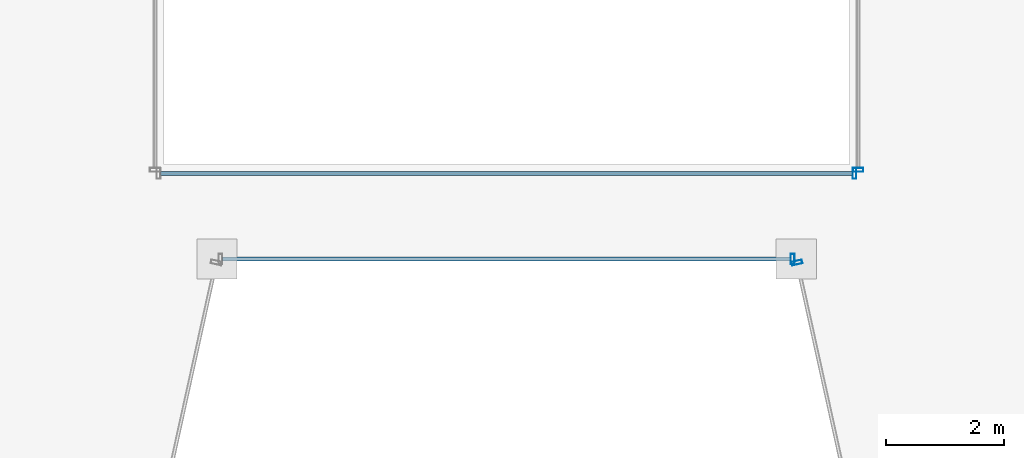
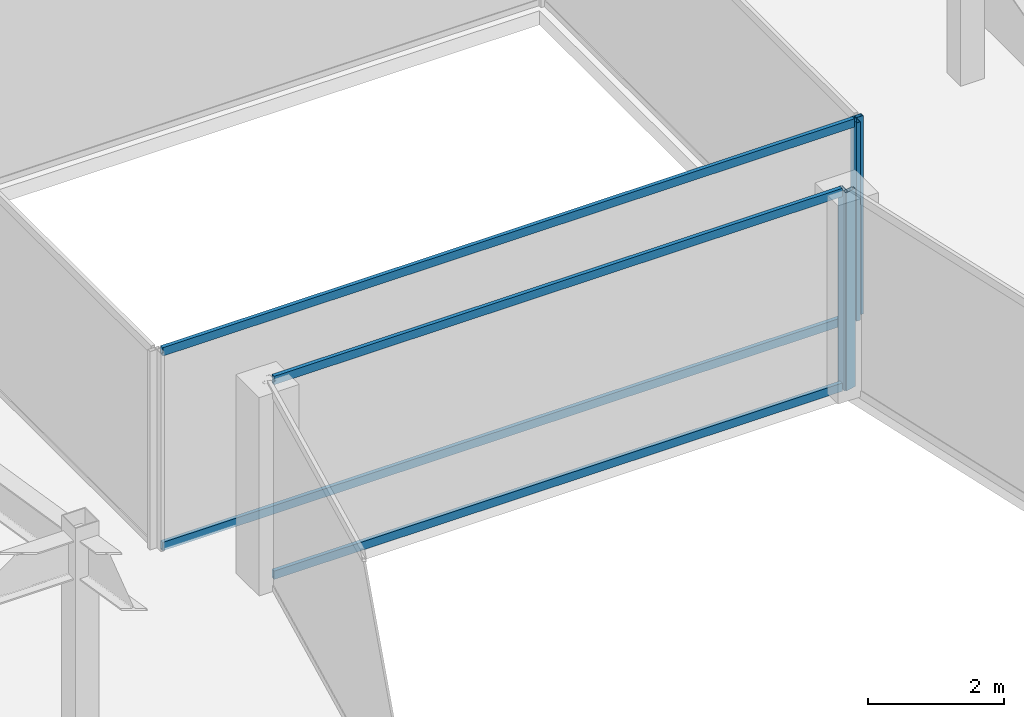
# One storey, part 8 of 36: 8 members, 4 elements without a shape of their own.
"""IFC4 building model written with IfcOpenShell, lengths in metres."""

from ifc_helpers import new_model, si_unit, direction, frame, origin, origin_2d, place, context, subcontext, project, spatial, hollow_rectangle, extrude, material, material_profile, profile_set, type_object, element, aggregate, save


model = new_model("IFC4")

# Units and contexts
model_context = context("Model", 3, precision=1e-05, world=origin(), true_north=direction((0.0, 1.0)))
body_context = subcontext(model_context, "Body", "Model", "MODEL_VIEW")
ifc_project = project(units=[si_unit("LENGTHUNIT", "METRE"), si_unit("AREAUNIT", "SQUARE_METRE"), si_unit("VOLUMEUNIT", "CUBIC_METRE"), si_unit("PLANEANGLEUNIT", "RADIAN"), si_unit("MASSUNIT", "GRAM", prefix="KILO")], contexts=[model_context])

# Site, building, storey
site_placement = place(None, origin())
site = spatial("IfcSite", under=ifc_project, at=site_placement, CompositionType="ELEMENT")
building_placement = place(site_placement, origin())
building = spatial("IfcBuilding", under=site, at=building_placement, Name="Saevonmaru Cultural Tower", CompositionType="ELEMENT")
storey_placement = place(building_placement, frame((0.0, 0.0, 201.800048828125)))
storey = spatial("IfcBuildingStorey", under=building, at=storey_placement, Name="L46", CompositionType="ELEMENT", Elevation=201.800048828125)

# Curtain wall, member
ifc_material = material(Name="Satin Bronze Anodised Aluminium", Category="aluminium")
curtain_wall_type_1 = type_object("IfcCurtainWallType", Name="CW-TYP-B", PredefinedType="NOTDEFINED", material=ifc_material)
curtain_wall_1_placement = place(storey_placement, origin())
curtain_wall_1 = element("IfcCurtainWall", 1, at=curtain_wall_1_placement, inside=storey, type_object=curtain_wall_type_1, Name="L46 Unitised Curtain Wall E4", PredefinedType="NOTDEFINED")
ifc_material_profile_1 = material_profile(ifc_material, hollow_rectangle(XDim=0.06494140625, YDim=0.179931640625, WallThickness=0.00390625, at=origin_2d()), Name="ALU-MULL-180x65x4")
ifc_profile_set_1 = profile_set([ifc_material_profile_1], Name="Satin Bronze Anodised Aluminium")
member_type_1 = type_object("IfcMemberType", Name="ML-CW-180x65", PredefinedType="MULLION", material=ifc_profile_set_1)
member_1_placement = place(storey_placement, frame((34.84228515625, 26.0, 0.0), z_axis=(0.0, 0.0, 1.0), x_axis=(1.0, 0.0, 0.0)))
member_1 = element("IfcMember", 2, at=member_1_placement, type_object=member_type_1, Name="CW-TW-L46-E4 mullion 2", PredefinedType="MULLION", context=body_context, shape_type="SweptSolid", body=[
    extrude(hollow_rectangle(XDim=0.06494140625, YDim=0.179931640625, WallThickness=0.00390625, at=origin_2d()), origin(), (0.0, 0.0, 1.0), 3.550048828125),
])

curtain_wall_2_placement = place(storey_placement, origin())
curtain_wall_2 = element("IfcCurtainWall", 3, at=curtain_wall_2_placement, inside=storey, type_object=curtain_wall_type_1, Name="L46 Unitised Curtain Wall E5", PredefinedType="NOTDEFINED")
member_2_placement = place(storey_placement, frame((34.9150390625, 25.94140625, 0.0), z_axis=(0.0, 0.0, 1.0), x_axis=(0.215413319953, -0.976522965212, 0.0)))
member_2 = element("IfcMember", 4, at=member_2_placement, type_object=member_type_1, Name="CW-TW-L46-E5 mullion 1", PredefinedType="MULLION", context=body_context, shape_type="SweptSolid", body=[
    extrude(hollow_rectangle(XDim=0.06494140625, YDim=0.179931640625, WallThickness=0.00390625, at=origin_2d()), origin(), (0.0, 0.0, 1.0), 3.550048828125),
])
aggregate(curtain_wall_2, [member_2])

curtain_wall_type_2 = type_object("IfcCurtainWallType", Name="CW-ATR-GLZ", PredefinedType="NOTDEFINED", material=ifc_material)
curtain_wall_3_placement = place(storey_placement, origin())
curtain_wall_3 = element("IfcCurtainWall", 5, at=curtain_wall_3_placement, inside=storey, type_object=curtain_wall_type_2, Name="L46 Vertical Atrium Glazed Smoke Screen 1", PredefinedType="NOTDEFINED")
ifc_material_profile_2 = material_profile(ifc_material, hollow_rectangle(XDim=0.06494140625, YDim=0.179931640625, WallThickness=0.00390625, at=origin_2d()), Name="ALU-MULL-180x65x4")
ifc_profile_set_2 = profile_set([ifc_material_profile_2], Name="Satin Bronze Anodised Aluminium")
member_type_2 = type_object("IfcMemberType", Name="ML-CW-INT-180x65", PredefinedType="MULLION", material=ifc_profile_set_2)
member_3_placement = place(storey_placement, frame((35.889892578125, 27.449951171875, 0.0), z_axis=(0.0, 0.0, 1.0), x_axis=(1.0, 0.0, 0.0)))
member_3 = element("IfcMember", 6, at=member_3_placement, type_object=member_type_2, Name="CW-ATR-L46-1 mullion 2", PredefinedType="MULLION", context=body_context, shape_type="SweptSolid", body=[
    extrude(hollow_rectangle(XDim=0.06494140625, YDim=0.179931640625, WallThickness=0.00390625, at=origin_2d()), origin(), (0.0, 0.0, 1.0), 3.550048828125),
])

curtain_wall_4_placement = place(storey_placement, origin())
curtain_wall_4 = element("IfcCurtainWall", 7, at=curtain_wall_4_placement, inside=storey, type_object=curtain_wall_type_2, Name="L46 Vertical Atrium Glazed Smoke Screen 2", PredefinedType="NOTDEFINED")
member_4_placement = place(storey_placement, frame((35.949951171875, 27.510009765625, 0.0), z_axis=(0.0, 0.0, 1.0), x_axis=(0.0, 1.0, 0.0)))
member_4 = element("IfcMember", 8, at=member_4_placement, type_object=member_type_2, Name="CW-ATR-L46-2 mullion 1", PredefinedType="MULLION", context=body_context, shape_type="SweptSolid", body=[
    extrude(hollow_rectangle(XDim=0.06494140625, YDim=0.179931640625, WallThickness=0.00390625, at=origin_2d()), origin(), (0.0, 0.0, 1.0), 3.550048828125),
])
aggregate(curtain_wall_4, [member_4])

# Member
ifc_material_profile_3 = material_profile(ifc_material, hollow_rectangle(XDim=0.06494140625, YDim=0.14990234375, WallThickness=0.00390625, at=origin_2d()), Name="ALU-TRAN-150x65x4")
ifc_profile_set_3 = profile_set([ifc_material_profile_3], Name="Satin Bronze Anodised Aluminium")
member_type_3 = type_object("IfcMemberType", Name="TR-CW-150x65", PredefinedType="USERDEFINED", material=ifc_profile_set_3)
member_5_placement = place(storey_placement, frame((25.190185546875, 26.0, 0.032470703125), z_axis=(1.0, 0.0, 0.0), x_axis=(0.0, 1.0, 0.0)))
member_5 = element("IfcMember", 9, at=member_5_placement, type_object=member_type_3, Name="CW-TW-L46-E4 transom 1.1", ObjectType="TRANSOM", PredefinedType="USERDEFINED", context=body_context, shape_type="SweptSolid", body=[
    extrude(hollow_rectangle(XDim=0.06494140625, YDim=0.14990234375, WallThickness=0.00390625, at=origin_2d()), origin(), (0.0, 0.0, 1.0), 9.61962890625),
])

member_6_placement = place(storey_placement, frame((25.190185546875, 26.0, 3.517333984375), z_axis=(1.0, 0.0, 0.0), x_axis=(0.0, 1.0, 0.0)))
member_6 = element("IfcMember", 10, at=member_6_placement, type_object=member_type_3, Name="CW-TW-L46-E4 transom 1.2", ObjectType="TRANSOM", PredefinedType="USERDEFINED", context=body_context, shape_type="SweptSolid", body=[
    extrude(hollow_rectangle(XDim=0.06494140625, YDim=0.14990234375, WallThickness=0.00390625, at=origin_2d()), origin(), (0.0, 0.0, 1.0), 9.61962890625),
])

aggregate(curtain_wall_1, [member_1, member_5, member_6])

ifc_material_profile_4 = material_profile(ifc_material, hollow_rectangle(XDim=0.06494140625, YDim=0.14990234375, WallThickness=0.00390625, at=origin_2d()), Name="ALU-TRAN-150x65x4")
ifc_profile_set_4 = profile_set([ifc_material_profile_4], Name="Satin Bronze Anodised Aluminium")
member_type_4 = type_object("IfcMemberType", Name="TR-CW-INT-150x65", PredefinedType="USERDEFINED", material=ifc_profile_set_4)
member_7_placement = place(storey_placement, frame((24.142578125, 27.449951171875, 0.032470703125), z_axis=(1.0, 0.0, 0.0), x_axis=(0.0, 1.0, 0.0)))
member_7 = element("IfcMember", 11, at=member_7_placement, type_object=member_type_4, Name="CW-ATR-L46-1 transom 1.1", ObjectType="TRANSOM", PredefinedType="USERDEFINED", context=body_context, shape_type="SweptSolid", body=[
    extrude(hollow_rectangle(XDim=0.06494140625, YDim=0.14990234375, WallThickness=0.00390625, at=origin_2d()), origin(), (0.0, 0.0, 1.0), 11.71484375),
])

member_8_placement = place(storey_placement, frame((24.142578125, 27.449951171875, 3.517333984375), z_axis=(1.0, 0.0, 0.0), x_axis=(0.0, 1.0, 0.0)))
member_8 = element("IfcMember", 12, at=member_8_placement, type_object=member_type_4, Name="CW-ATR-L46-1 transom 1.2", ObjectType="TRANSOM", PredefinedType="USERDEFINED", context=body_context, shape_type="SweptSolid", body=[
    extrude(hollow_rectangle(XDim=0.06494140625, YDim=0.14990234375, WallThickness=0.00390625, at=origin_2d()), origin(), (0.0, 0.0, 1.0), 11.71484375),
])

aggregate(curtain_wall_3, [member_3, member_7, member_8])

save(model, "model.ifc")
